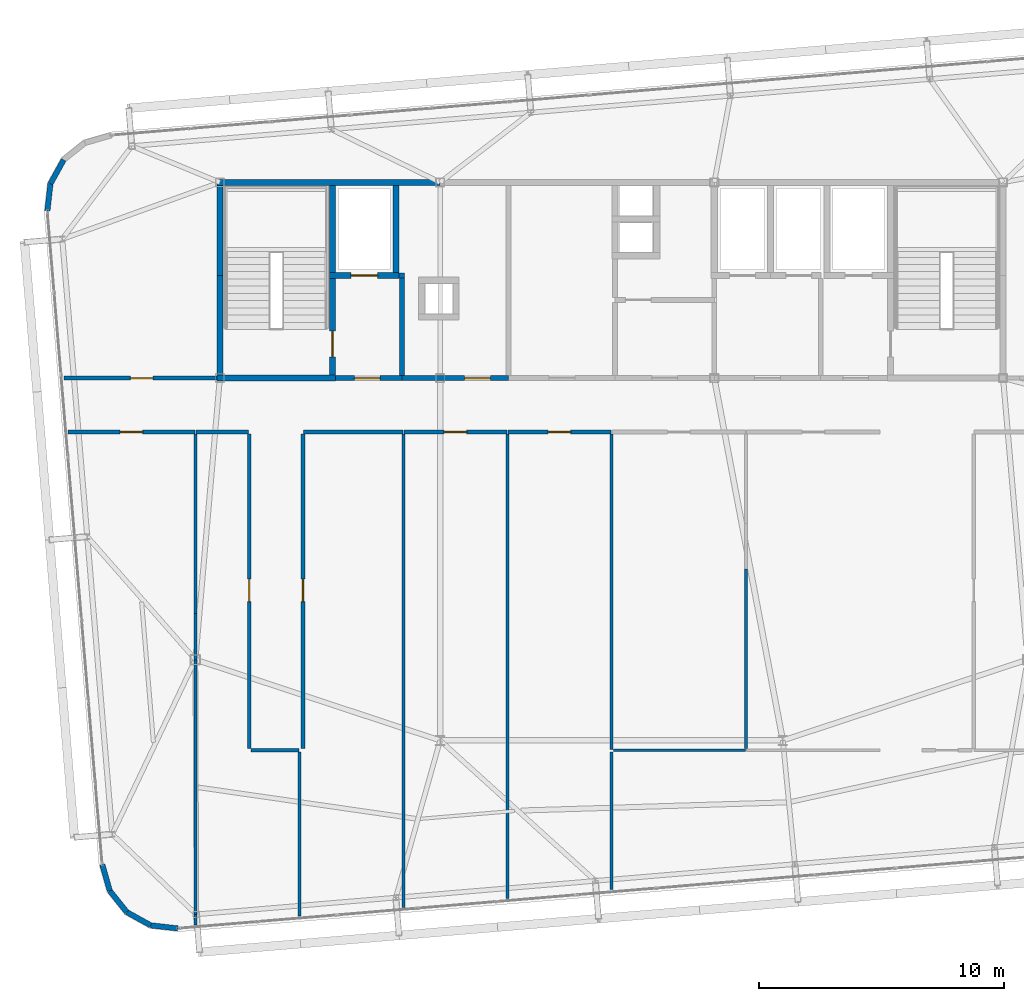
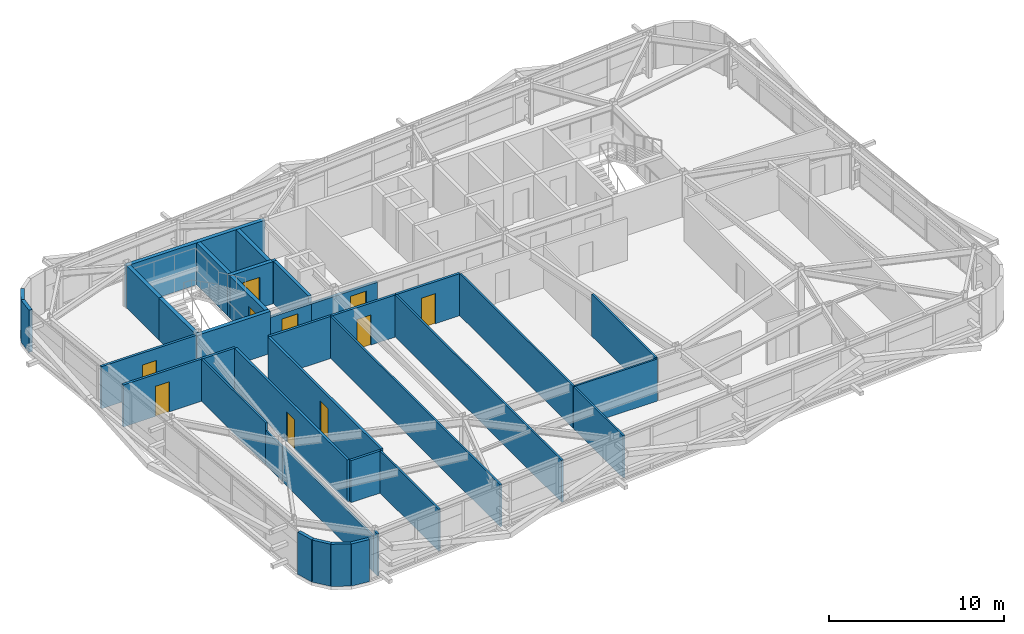
# One storey, part 42 of 46: 38 walls, 10 doors, 10 openings.
"""IFC4 building model written with IfcOpenShell, lengths in metres."""

from ifc_helpers import new_model, si_unit, direction, frame, frame_2d, origin, place, context, subcontext, project, spatial, rectangle, extrude, source, transform, mapped, material, layer, layer_set, type_object, element, fill, save


model = new_model("IFC4")

# Units and contexts
model_context = context("Model", 3, precision=1e-05, world=origin(), true_north=direction((0.0, 1.0)))
body_context = subcontext(model_context, "Body", "Model", "MODEL_VIEW")
ifc_project = project(units=[si_unit("LENGTHUNIT", "METRE"), si_unit("AREAUNIT", "SQUARE_METRE"), si_unit("VOLUMEUNIT", "CUBIC_METRE"), si_unit("PLANEANGLEUNIT", "RADIAN"), si_unit("MASSUNIT", "GRAM", prefix="KILO")], contexts=[model_context])

# Site, building, storey
site_placement = place(None, origin())
site = spatial("IfcSite", under=ifc_project, at=site_placement, CompositionType="ELEMENT")
building_placement = place(site_placement, origin())
building = spatial("IfcBuilding", under=site, at=building_placement, Name="Taldren Reach Tower", CompositionType="ELEMENT")
storey_placement = place(building_placement, frame((0.0, 0.0, 194.60009765625)))
storey = spatial("IfcBuildingStorey", under=building, at=storey_placement, Name="L59", CompositionType="ELEMENT", Elevation=194.60009765625)

# Walls
ifc_material_1 = material(Name="Pale Champagne Anodised Aluminium Cladding", Category="aluminium")
ifc_layer_1 = layer(ifc_material_1, 0.04, Name="Pale Champagne Anodised Aluminium Cladding", Category="aluminium")
ifc_material_2 = material(Name="Mineral Wool Acoustic Insulation", Category="insulation")
ifc_layer_2 = layer(ifc_material_2, 0.06, Name="Mineral Wool Acoustic Insulation", Category="insulation")
ifc_material_3 = material(Name="Steel Gr 350 (C350L0)", Category="steel")
ifc_layer_3 = layer(ifc_material_3, 0.12, Name="Steel Gr 350 (C350L0)", Category="steel")
ifc_layer_set_1 = layer_set([ifc_layer_1, ifc_layer_2, ifc_layer_3], Name="Pale Champagne Aluminium Cladding and Steel Gr 350 Stud Framing")
wall_type_1 = type_object("IfcWallType", Name="EW-CRN-220", PredefinedType="SOLIDWALL", material=ifc_layer_set_1)
shared_shape_1 = source(origin(), body_context, "Body", "SweptSolid", [
    extrude(rectangle(XDim=1.115966796875, YDim=0.219970703125, at=frame_2d((0.55810546875, 0.0))), origin(), (0.0, 0.0, 1.0), 2.929931640625),
])
for number, where, z_axis, x_axis, name in (
    (1, (12.618896484375, 32.9208984375, 0.0), (0.0, 0.0, 1.0), (-0.484100585842, -0.875012355791, 0.0), "Rounded-corner pale-metal facade wall L59-NW3"),
    (2, (12.07861328125, 31.9443359375, 0.0), (0.0, 0.0, 1.0), (-0.112232247342, -0.993682002784, 0.0), "Rounded-corner pale-metal facade wall L59-NW4"),
    (3, (14.19580078125, 4.129638671875, 0.0), (0.0, 0.0, 1.0), (0.276512002475, -0.961010464297, 0.0), "Rounded-corner pale-metal facade wall L59-SW1"),
    (4, (14.50439453125, 3.05712890625, 0.0), (0.0, 0.0, 1.0), (0.623092886403, -0.782147847222, 0.0), "Rounded-corner pale-metal facade wall L59-SW2"),
    (5, (15.19970703125, 2.184326171875, 0.0), (0.0, 0.0, 1.0), (0.875105012065, -0.483933071672, 0.0), "Rounded-corner pale-metal facade wall L59-SW3"),
    (6, (16.17626953125, 1.644287109375, 0.0), (0.0, 0.0, 1.0), (0.993657581277, -0.112448259968, 0.0), "Rounded-corner pale-metal facade wall L59-SW4"),
):
    element("IfcWall", number, at=place(storey_placement, frame(where, z_axis=z_axis, x_axis=x_axis)), inside=storey, type_object=wall_type_1, Name=name, PredefinedType="SOLIDWALL", context=body_context, shape_type="MappedRepresentation", body=[
        mapped(shared_shape_1, transform((0.0, 0.0, 0.0), scale=1.0)),
    ])

# Wall, opening, door
ifc_material_4 = material(Name="Concrete S50 (50 MPa)", Category="concrete")
ifc_layer_4 = layer(ifc_material_4, 0.199951171875)
ifc_layer_set_2 = layer_set([ifc_layer_4], Name="Concrete S50 (50 MPa)")
wall_type_2 = type_object("IfcWallType", Name="IW-CORE-200", PredefinedType="SOLIDWALL", material=ifc_layer_set_2)
shared_shape_2 = source(origin(), body_context, "Body", "SweptSolid", [
    extrude(rectangle(XDim=4.35009765625, YDim=0.199951171875, at=frame_2d((2.175048828125, 0.0))), origin(), (0.0, 0.0, 1.0), 2.469970703125),
])
wall_1_placement = place(storey_placement, frame((30.800048828125, 24.0, 0.0), z_axis=(0.0, 0.0, 1.0), x_axis=(-1.0, 0.0, 0.0)))
wall_1 = element("IfcWall", 7, at=wall_1_placement, inside=storey, type_object=wall_type_2, Name="Rear Core Shear Wall W-INT-L59-033", PredefinedType="SOLIDWALL", context=body_context, shape_type="MappedRepresentation", body=[
    mapped(shared_shape_2, transform((0.0, 0.0, 0.0), scale=1.0)),
])
shared_shape_3 = source(origin(), body_context, "Body", "SweptSolid", [
    extrude(rectangle(XDim=1.050048828125, YDim=2.10009765625, at=frame_2d((0.52490234375, 1.050048828125))), frame((0.0, 0.10986328125, 0.0), z_axis=(0.0, -1.0, 0.0), x_axis=(1.0, 0.0, 0.0)), (0.0, 0.0, 1.0), 0.219970703125),
])
opening_1_placement = place(wall_1_placement, frame((0.75, 0.0, 0.0)))
opening_1 = element("IfcOpeningElement", 8, at=opening_1_placement, cuts=wall_1, Name="Opening DF-105", PredefinedType="OPENING", context=body_context, shape_type="MappedRepresentation", body=[
    mapped(shared_shape_3, transform((0.0, 0.0, 0.0), scale=1.0)),
])
ifc_material_5 = material(Name="Fire-Rated Care and Stair Exit Door")
door_type_1 = type_object("IfcDoorType", Name="ID-FIRE-105", OperationType="NOTDEFINED", PredefinedType="DOOR", material=ifc_material_5)
shared_shape_4 = source(origin(), body_context, "Body", "SweptSolid", [
    extrude(rectangle(XDim=1.050048828125, YDim=2.10009765625, at=frame_2d((0.52490234375, 1.050048828125))), frame((0.0, 0.02490234375, 0.0), z_axis=(0.0, -1.0, 0.0), x_axis=(1.0, 0.0, 0.0)), (0.0, 0.0, 1.0), 0.050048828125),
])
door_1_placement = place(opening_1_placement, frame((1.050048828125, 0.0, 0.0), z_axis=(0.0, 0.0, 1.0), x_axis=(-1.0, 0.0, 0.0)))
door_1 = element("IfcDoor", 9, at=door_1_placement, inside=storey, type_object=door_type_1, Name="Interior Door DR-L59-006", OperationType="SINGLE_SWING_RIGHT", OverallHeight=2.10009765625, OverallWidth=1.050048828125, PredefinedType="DOOR", context=body_context, shape_type="MappedRepresentation", body=[
    mapped(shared_shape_4, transform((0.0, 0.0, 0.0), scale=1.0)),
])
fill(opening_1, door_1)

# Walls
ifc_material_6 = material(Name="Insulated Residential Stud Partition", Category="gypsum")
ifc_layer_5 = layer(ifc_material_6, 0.1201171875)
ifc_layer_set_3 = layer_set([ifc_layer_5], Name="Insulated Residential Stud Partition")
wall_type_3 = type_object("IfcWallType", Name="IW-PART-120", PredefinedType="PARTITIONING", material=ifc_layer_set_3)
shared_shape_5 = source(origin(), body_context, "Body", "SweptSolid", [
    extrude(rectangle(XDim=5.399658203125, YDim=0.1201171875, at=frame_2d((2.69970703125, 0.0))), origin(), (0.0, 0.0, 1.0), 2.929931640625),
])
wall_2_placement = place(storey_placement, frame((35.080078125, 8.800048828125, 0.0), z_axis=(0.0, 0.0, 1.0), x_axis=(1.0, 0.0, 0.0)))
element("IfcWall", 10, at=wall_2_placement, inside=storey, type_object=wall_type_3, Name="Interior Partition Wall W-INT-L59-056", PredefinedType="PARTITIONING", context=body_context, shape_type="MappedRepresentation", body=[
    mapped(shared_shape_5, transform((0.0, 0.0, 0.0), scale=1.0)),
])
ifc_material_7 = material(Name="Fire-Rated Acoustic Plasterboard Stud Wall", Category="gypsum")
ifc_layer_6 = layer(ifc_material_7, 0.159912109375)
ifc_layer_set_4 = layer_set([ifc_layer_6], Name="Fire-Rated Acoustic Plasterboard Stud Wall")
wall_type_4 = type_object("IfcWallType", Name="IW-FIRE-160", PredefinedType="PARTITIONING", material=ifc_layer_set_4)
shared_shape_6 = source(origin(), body_context, "Body", "SweptSolid", [
    extrude(rectangle(XDim=4.059326171875, YDim=0.159912109375, at=frame_2d((2.02978515625, 0.0))), origin(), (0.0, 0.0, 1.0), 2.929931640625),
])
wall_3_placement = place(storey_placement, frame((26.479736328125, 21.800048828125, 0.0), z_axis=(0.0, 0.0, 1.0), x_axis=(-1.0, 0.0, 0.0)))
element("IfcWall", 11, at=wall_3_placement, inside=storey, type_object=wall_type_4, Name="Interior Partition Wall W-INT-L59-046", PredefinedType="PARTITIONING", context=body_context, shape_type="MappedRepresentation", body=[
    mapped(shared_shape_6, transform((0.0, 0.0, 0.0), scale=1.0)),
])
shared_shape_7 = source(origin(), body_context, "Body", "SweptSolid", [
    extrude(rectangle(XDim=2.159423828125, YDim=0.159912109375, at=frame_2d((1.07958984375, 0.0))), origin(), (0.0, 0.0, 1.0), 2.929931640625),
])
wall_4_placement = place(storey_placement, frame((20.1796875, 21.800048828125, 0.0), z_axis=(0.0, 0.0, 1.0), x_axis=(-1.0, 0.0, 0.0)))
element("IfcWall", 12, at=wall_4_placement, inside=storey, type_object=wall_type_4, Name="Interior Partition Wall W-INT-L59-043", PredefinedType="PARTITIONING", context=body_context, shape_type="MappedRepresentation", body=[
    mapped(shared_shape_7, transform((0.0, 0.0, 0.0), scale=1.0)),
])
shared_shape_8 = source(origin(), body_context, "Body", "SweptSolid", [
    extrude(rectangle(XDim=4.0, YDim=0.199951171875, at=frame_2d((2.0, 0.0))), origin(), (0.0, 0.0, 1.0), 2.929931640625),
])
wall_5_placement = place(storey_placement, frame((26.449951171875, 24.10009765625, 0.0), z_axis=(0.0, 0.0, 1.0), x_axis=(0.0, 1.0, 0.0)))
element("IfcWall", 13, at=wall_5_placement, inside=storey, type_object=wall_type_2, Name="Rear Core Shear Wall W-INT-L59-006", PredefinedType="SOLIDWALL", context=body_context, shape_type="MappedRepresentation", body=[
    mapped(shared_shape_8, transform((0.0, 0.0, 0.0), scale=1.0)),
])
shared_shape_9 = source(origin(), body_context, "Body", "SweptSolid", [
    extrude(rectangle(XDim=7.32373046875, YDim=0.1201171875, at=frame_2d((3.661865234375, 0.0))), origin(), (0.0, 0.0, 1.0), 2.929931640625),
])
wall_6_placement = place(storey_placement, frame((18.0, 21.719970703125, 0.0), z_axis=(0.0, 0.0, 1.0), x_axis=(0.0, -1.0, 0.0)))
element("IfcWall", 14, at=wall_6_placement, inside=storey, type_object=wall_type_3, Name="Interior Partition Wall W-INT-L59-060", PredefinedType="PARTITIONING", context=body_context, shape_type="MappedRepresentation", body=[
    mapped(shared_shape_9, transform((0.0, 0.0, 0.0), scale=1.0)),
])
shared_shape_10 = source(origin(), body_context, "Body", "SweptSolid", [
    extrude(rectangle(XDim=1.9013671875, YDim=0.1201171875, at=frame_2d((0.95068359375, 0.0))), origin(), (0.0, 0.0, 1.0), 2.39697265625),
])
wall_7_placement = place(storey_placement, frame((18.0, 14.396240234375, 0.0), z_axis=(0.0, 0.0, 1.0), x_axis=(0.0, -1.0, 0.0)))
element("IfcWall", 15, at=wall_7_placement, inside=storey, type_object=wall_type_3, Name="Interior Partition Wall W-INT-L59-060 part 2", PredefinedType="PARTITIONING", context=body_context, shape_type="MappedRepresentation", body=[
    mapped(shared_shape_10, transform((0.0, 0.0, 0.0), scale=1.0)),
])
ifc_material_8 = material(Name="Concrete S65 (65 MPa)", Category="concrete")
ifc_layer_7 = layer(ifc_material_8, 0.25)
ifc_layer_set_5 = layer_set([ifc_layer_7], Name="Concrete S65 (65 MPa)")
wall_type_5 = type_object("IfcWallType", Name="IW-CORE-250", PredefinedType="SHEAR", material=ifc_layer_set_5)
shared_shape_11 = source(origin(), body_context, "Body", "SweptSolid", [
    extrude(rectangle(XDim=9.125, YDim=0.25, at=frame_2d((4.5625, 0.0))), origin(), (0.0, 0.0, 1.0), 2.929931640625),
])
wall_8_placement = place(storey_placement, frame((18.875, 32.0, 0.0), z_axis=(0.0, 0.0, 1.0), x_axis=(1.0, 0.0, 0.0)))
element("IfcWall", 16, at=wall_8_placement, inside=storey, type_object=wall_type_5, Name="Rear Core Shear Wall W-CORE-L59-NORTH1", PredefinedType="SHEAR", context=body_context, shape_type="MappedRepresentation", body=[
    mapped(shared_shape_11, transform((0.0, 0.0, 0.0), scale=1.0)),
])
shared_shape_12 = source(origin(), body_context, "Body", "SweptSolid", [
    extrude(rectangle(XDim=4.074951171875, YDim=0.25, at=frame_2d((2.03759765625, 0.0))), origin(), (0.0, 0.0, 1.0), 2.929931640625),
])
wall_9_placement = place(storey_placement, frame((19.0, 24.125, 0.0), z_axis=(0.0, 0.0, 1.0), x_axis=(0.0, 1.0, 0.0)))
element("IfcWall", 17, at=wall_9_placement, inside=storey, type_object=wall_type_5, Name="Rear Core Shear Wall W-CORE-L59-WEST1", PredefinedType="SHEAR", context=body_context, shape_type="MappedRepresentation", body=[
    mapped(shared_shape_12, transform((0.0, 0.0, 0.0), scale=1.0)),
])
shared_shape_13 = source(origin(), body_context, "Body", "SweptSolid", [
    extrude(rectangle(XDim=3.675048828125, YDim=0.25, at=frame_2d((1.83740234375, 0.0))), origin(), (0.0, 0.0, 1.0), 2.929931640625),
])
wall_10_placement = place(storey_placement, frame((19.0, 28.199951171875, 0.0), z_axis=(0.0, 0.0, 1.0), x_axis=(0.0, 1.0, 0.0)))
element("IfcWall", 18, at=wall_10_placement, inside=storey, type_object=wall_type_5, Name="Rear Core Shear Wall W-CORE-L59-WEST2", PredefinedType="SHEAR", context=body_context, shape_type="MappedRepresentation", body=[
    mapped(shared_shape_13, transform((0.0, 0.0, 0.0), scale=1.0)),
])
shared_shape_14 = source(origin(), body_context, "Body", "SweptSolid", [
    extrude(rectangle(XDim=3.550048828125, YDim=0.25, at=frame_2d((1.77490234375, 0.0))), origin(), (0.0, 0.0, 1.0), 2.929931640625),
])
for number, where, z_axis, x_axis, name in (
    (19, (23.60009765625, 28.324951171875, 0.0), (0.0, 0.0, 1.0), (0.0, 1.0, 0.0), "Rear Core Shear Wall W-INT-L59-001"),
    (20, (26.199951171875, 28.324951171875, 0.0), (0.0, 0.0, 1.0), (0.0, 1.0, 0.0), "Rear Core Shear Wall W-INT-L59-005"),
):
    element("IfcWall", number, at=place(storey_placement, frame(where, z_axis=z_axis, x_axis=x_axis)), inside=storey, type_object=wall_type_5, Name=name, PredefinedType="SHEAR", context=body_context, shape_type="MappedRepresentation", body=[
        mapped(shared_shape_14, transform((0.0, 0.0, 0.0), scale=1.0)),
    ])

# Wall, opening, door
shared_shape_15 = source(origin(), body_context, "Body", "SweptSolid", [
    extrude(rectangle(XDim=3.949951171875, YDim=0.25, at=frame_2d((1.97509765625, 0.0))), origin(), (0.0, 0.0, 1.0), 2.929931640625),
])
wall_11_placement = place(storey_placement, frame((23.60009765625, 24.125, 0.0), z_axis=(0.0, 0.0, 1.0), x_axis=(0.0, 1.0, 0.0)))
wall_11 = element("IfcWall", 21, at=wall_11_placement, inside=storey, type_object=wall_type_5, Name="Rear Core Shear Wall W-INT-L59-002", PredefinedType="SHEAR", context=body_context, shape_type="MappedRepresentation", body=[
    mapped(shared_shape_15, transform((0.0, 0.0, 0.0), scale=1.0)),
])
shared_shape_16 = source(origin(), body_context, "Body", "SweptSolid", [
    extrude(rectangle(XDim=1.050048828125, YDim=2.10009765625, at=frame_2d((0.52490234375, 1.050048828125))), frame((0.0, 0.135009765625, 0.0), z_axis=(0.0, -1.0, 0.0), x_axis=(1.0, 0.0, 0.0)), (0.0, 0.0, 1.0), 0.27001953125),
])
opening_2_placement = place(wall_11_placement, frame((0.75, 0.0, 0.0)))
opening_2 = element("IfcOpeningElement", 22, at=opening_2_placement, cuts=wall_11, Name="Opening DF-105", PredefinedType="OPENING", context=body_context, shape_type="MappedRepresentation", body=[
    mapped(shared_shape_16, transform((0.0, 0.0, 0.0), scale=1.0)),
])
door_2_placement = place(opening_2_placement, origin())
door_2 = element("IfcDoor", 23, at=door_2_placement, inside=storey, type_object=door_type_1, Name="Fire Exit Stair Door DR-L59-001", OperationType="SINGLE_SWING_LEFT", OverallHeight=2.10009765625, OverallWidth=1.050048828125, PredefinedType="DOOR", context=body_context, shape_type="MappedRepresentation", body=[
    mapped(shared_shape_4, transform((0.0, 0.0, 0.0), scale=1.0)),
])
fill(opening_2, door_2)

# Wall
shared_shape_17 = source(origin(), body_context, "Body", "SweptSolid", [
    extrude(rectangle(XDim=4.85009765625, YDim=0.25, at=frame_2d((2.425048828125, 0.0))), origin(), (0.0, 0.0, 1.0), 2.929931640625),
])
wall_12_placement = place(storey_placement, frame((18.875, 24.0, 0.0), z_axis=(0.0, 0.0, 1.0), x_axis=(1.0, 0.0, 0.0)))
element("IfcWall", 24, at=wall_12_placement, inside=storey, type_object=wall_type_5, Name="Rear Core Shear Wall W-INT-L59-003", PredefinedType="SHEAR", context=body_context, shape_type="MappedRepresentation", body=[
    mapped(shared_shape_17, transform((0.0, 0.0, 0.0), scale=1.0)),
])

# Wall, opening, door
shared_shape_18 = source(origin(), body_context, "Body", "SweptSolid", [
    extrude(rectangle(XDim=2.849853515625, YDim=0.25, at=frame_2d((1.4248046875, 0.0))), origin(), (0.0, 0.0, 1.0), 2.929931640625),
])
wall_13_placement = place(storey_placement, frame((23.47509765625, 28.199951171875, 0.0), z_axis=(0.0, 0.0, 1.0), x_axis=(1.0, 0.0, 0.0)))
wall_13 = element("IfcWall", 25, at=wall_13_placement, inside=storey, type_object=wall_type_5, Name="Rear Core Shear Wall W-INT-L59-004", PredefinedType="SHEAR", context=body_context, shape_type="MappedRepresentation", body=[
    mapped(shared_shape_18, transform((0.0, 0.0, 0.0), scale=1.0)),
])
shared_shape_19 = source(origin(), body_context, "Body", "SweptSolid", [
    extrude(rectangle(XDim=1.10009765625, YDim=2.14990234375, at=frame_2d((0.550048828125, 1.074951171875))), frame((0.0, 0.135009765625, 0.0), z_axis=(0.0, -1.0, 0.0), x_axis=(1.0, 0.0, 0.0)), (0.0, 0.0, 1.0), 0.27001953125),
])
opening_3_placement = place(wall_13_placement, frame((0.875, 0.0, 0.0)))
opening_3 = element("IfcOpeningElement", 26, at=opening_3_placement, cuts=wall_13, Name="Opening LD-FL1", PredefinedType="OPENING", context=body_context, shape_type="MappedRepresentation", body=[
    mapped(shared_shape_19, transform((0.0, 0.0, 0.0), scale=1.0)),
])
ifc_material_9 = material(Name="Stainless Steel Gr 316 Emergency Lift Landing Door", Category="steel")
door_type_2 = type_object("IfcDoorType", Name="LD-EMG-110", OperationType="SLIDING_TO_LEFT", PredefinedType="DOOR", material=ifc_material_9)
shared_shape_20 = source(origin(), body_context, "Body", "SweptSolid", [
    extrude(rectangle(XDim=1.10009765625, YDim=2.14990234375, at=frame_2d((0.550048828125, 1.074951171875))), frame((0.0, 0.02490234375, 0.0), z_axis=(0.0, -1.0, 0.0), x_axis=(1.0, 0.0, 0.0)), (0.0, 0.0, 1.0), 0.050048828125),
])
door_3_placement = place(opening_3_placement, origin())
door_3 = element("IfcDoor", 27, at=door_3_placement, inside=storey, type_object=door_type_2, Name="Lift Landing Door LD-FL1-L59", OperationType="SLIDING_TO_LEFT", OverallHeight=2.14990234375, OverallWidth=1.10009765625, PredefinedType="DOOR", context=body_context, shape_type="MappedRepresentation", body=[
    mapped(shared_shape_20, transform((0.0, 0.0, 0.0), scale=1.0)),
])
fill(opening_3, door_3)

shared_shape_21 = source(origin(), body_context, "Body", "SweptSolid", [
    extrude(rectangle(XDim=2.724853515625, YDim=0.199951171875, at=frame_2d((1.3623046875, 0.0))), origin(), (0.0, 0.0, 1.0), 2.469970703125),
])
wall_14_placement = place(storey_placement, frame((23.72509765625, 24.0, 0.0), z_axis=(0.0, 0.0, 1.0), x_axis=(1.0, 0.0, 0.0)))
wall_14 = element("IfcWall", 28, at=wall_14_placement, inside=storey, type_object=wall_type_2, Name="Rear Core Shear Wall W-INT-L59-007", PredefinedType="SOLIDWALL", context=body_context, shape_type="MappedRepresentation", body=[
    mapped(shared_shape_21, transform((0.0, 0.0, 0.0), scale=1.0)),
])
opening_4_placement = place(wall_14_placement, frame((0.77490234375, 0.0, 0.0)))
opening_4 = element("IfcOpeningElement", 29, at=opening_4_placement, cuts=wall_14, Name="Opening DF-105", PredefinedType="OPENING", context=body_context, shape_type="MappedRepresentation", body=[
    mapped(shared_shape_3, transform((0.0, 0.0, 0.0), scale=1.0)),
])
door_4_placement = place(opening_4_placement, origin())
door_4 = element("IfcDoor", 30, at=door_4_placement, inside=storey, type_object=door_type_1, Name="Interior Door DR-L59-002", OperationType="SINGLE_SWING_LEFT", OverallHeight=2.10009765625, OverallWidth=1.050048828125, PredefinedType="DOOR", context=body_context, shape_type="MappedRepresentation", body=[
    mapped(shared_shape_4, transform((0.0, 0.0, 0.0), scale=1.0)),
])
fill(opening_4, door_4)

shared_shape_22 = source(origin(), body_context, "Body", "SweptSolid", [
    extrude(rectangle(XDim=6.250732421875, YDim=0.159912109375, at=frame_2d((3.12548828125, 0.0))), origin(), (0.0, 0.0, 1.0), 2.929931640625),
])
wall_15_placement = place(storey_placement, frame((12.624267578125, 24.0, 0.0), z_axis=(0.0, 0.0, 1.0), x_axis=(1.0, 0.0, 0.0)))
wall_15 = element("IfcWall", 31, at=wall_15_placement, inside=storey, type_object=wall_type_4, Name="Interior Partition Wall W-INT-L59-040", PredefinedType="PARTITIONING", context=body_context, shape_type="MappedRepresentation", body=[
    mapped(shared_shape_22, transform((0.0, 0.0, 0.0), scale=1.0)),
])
shared_shape_23 = source(origin(), body_context, "Body", "SweptSolid", [
    extrude(rectangle(XDim=0.919921875, YDim=2.10009765625, at=frame_2d((0.4599609375, 1.050048828125))), frame((0.0, 0.08984375, 0.0), z_axis=(0.0, -1.0, 0.0), x_axis=(1.0, 0.0, 0.0)), (0.0, 0.0, 1.0), 0.179931640625),
])
opening_5_placement = place(wall_15_placement, frame((2.7177734375, 0.0, 0.0)))
opening_5 = element("IfcOpeningElement", 32, at=opening_5_placement, cuts=wall_15, Name="Opening DI-092", PredefinedType="OPENING", context=body_context, shape_type="MappedRepresentation", body=[
    mapped(shared_shape_23, transform((0.0, 0.0, 0.0), scale=1.0)),
])
ifc_material_10 = material(Name="Solid-Core Timber Suite Door", Category="wood")
door_type_3 = type_object("IfcDoorType", Name="ID-INT-092", OperationType="NOTDEFINED", PredefinedType="DOOR", material=ifc_material_10)
shared_shape_24 = source(origin(), body_context, "Body", "SweptSolid", [
    extrude(rectangle(XDim=0.919921875, YDim=2.10009765625, at=frame_2d((0.4599609375, 1.050048828125))), frame((0.0, 0.02490234375, 0.0), z_axis=(0.0, -1.0, 0.0), x_axis=(1.0, 0.0, 0.0)), (0.0, 0.0, 1.0), 0.050048828125),
])
door_5_placement = place(opening_5_placement, origin())
door_5 = element("IfcDoor", 33, at=door_5_placement, inside=storey, type_object=door_type_3, Name="Interior Door DR-L59-011", OperationType="SINGLE_SWING_RIGHT", OverallHeight=2.10009765625, OverallWidth=0.919921875, PredefinedType="DOOR", context=body_context, shape_type="MappedRepresentation", body=[
    mapped(shared_shape_24, transform((0.0, 0.0, 0.0), scale=1.0)),
])
fill(opening_5, door_5)

shared_shape_25 = source(origin(), body_context, "Body", "SweptSolid", [
    extrude(rectangle(XDim=12.840087890625, YDim=0.159912109375, at=frame_2d((6.419921875, 0.0))), origin(), (0.0, 0.0, 1.0), 2.929931640625),
])
wall_16_placement = place(storey_placement, frame((20.199951171875, 8.8798828125, 0.0), z_axis=(0.0, 0.0, 1.0), x_axis=(0.0, 1.0, 0.0)))
wall_16 = element("IfcWall", 34, at=wall_16_placement, inside=storey, type_object=wall_type_4, Name="Interior Partition Wall W-INT-L59-042", PredefinedType="PARTITIONING", context=body_context, shape_type="MappedRepresentation", body=[
    mapped(shared_shape_25, transform((0.0, 0.0, 0.0), scale=1.0)),
])
opening_6_placement = place(wall_16_placement, frame((5.98974609375, 0.0, 0.0)))
opening_6 = element("IfcOpeningElement", 35, at=opening_6_placement, cuts=wall_16, Name="Opening DI-092", PredefinedType="OPENING", context=body_context, shape_type="MappedRepresentation", body=[
    mapped(shared_shape_23, transform((0.0, 0.0, 0.0), scale=1.0)),
])
door_6_placement = place(opening_6_placement, origin())
door_6 = element("IfcDoor", 36, at=door_6_placement, inside=storey, type_object=door_type_3, Name="Interior Door DR-L59-013", OperationType="SINGLE_SWING_RIGHT", OverallHeight=2.10009765625, OverallWidth=0.919921875, PredefinedType="DOOR", context=body_context, shape_type="MappedRepresentation", body=[
    mapped(shared_shape_24, transform((0.0, 0.0, 0.0), scale=1.0)),
])
fill(opening_6, door_6)

wall_17_placement = place(storey_placement, frame((22.39990234375, 21.719970703125, 0.0), z_axis=(0.0, 0.0, 1.0), x_axis=(0.0, -1.0, 0.0)))
wall_17 = element("IfcWall", 37, at=wall_17_placement, inside=storey, type_object=wall_type_4, Name="Interior Partition Wall W-INT-L59-045", PredefinedType="PARTITIONING", context=body_context, shape_type="MappedRepresentation", body=[
    mapped(shared_shape_25, transform((0.0, 0.0, 0.0), scale=1.0)),
])
opening_7_placement = place(wall_17_placement, frame((5.93017578125, 0.0, 0.0)))
opening_7 = element("IfcOpeningElement", 38, at=opening_7_placement, cuts=wall_17, Name="Opening DI-092", PredefinedType="OPENING", context=body_context, shape_type="MappedRepresentation", body=[
    mapped(shared_shape_23, transform((0.0, 0.0, 0.0), scale=1.0)),
])
door_7_placement = place(opening_7_placement, origin())
door_7 = element("IfcDoor", 39, at=door_7_placement, inside=storey, type_object=door_type_3, Name="Interior Door DR-L59-014", OperationType="SINGLE_SWING_LEFT", OverallHeight=2.10009765625, OverallWidth=0.919921875, PredefinedType="DOOR", context=body_context, shape_type="MappedRepresentation", body=[
    mapped(shared_shape_24, transform((0.0, 0.0, 0.0), scale=1.0)),
])
fill(opening_7, door_7)

# Wall
shared_shape_26 = source(origin(), body_context, "Body", "SweptSolid", [
    extrude(rectangle(XDim=0.22509765625, YDim=0.199951171875, at=frame_2d((0.112548828125, 0.0))), origin(), (0.0, 0.0, 1.0), 2.929931640625),
])
wall_18_placement = place(storey_placement, frame((26.324951171875, 28.199951171875, 0.0), z_axis=(0.0, 0.0, 1.0), x_axis=(1.0, 0.0, 0.0)))
element("IfcWall", 40, at=wall_18_placement, inside=storey, type_object=wall_type_2, Name="Rear Core Partition Wall W-INT-L59-067", PredefinedType="SOLIDWALL", context=body_context, shape_type="MappedRepresentation", body=[
    mapped(shared_shape_26, transform((0.0, 0.0, 0.0), scale=1.0)),
])

# Wall, opening, door
shared_shape_27 = source(origin(), body_context, "Body", "SweptSolid", [
    extrude(rectangle(XDim=5.18408203125, YDim=0.159912109375, at=frame_2d((2.592041015625, 0.0))), origin(), (0.0, 0.0, 1.0), 2.929931640625),
])
wall_19_placement = place(storey_placement, frame((17.979736328125, 21.800048828125, 0.0), z_axis=(0.0, 0.0, 1.0), x_axis=(-1.0, 0.0, 0.0)))
wall_19 = element("IfcWall", 41, at=wall_19_placement, inside=storey, type_object=wall_type_4, Name="Interior Partition Wall W-INT-L59-041", PredefinedType="PARTITIONING", context=body_context, shape_type="MappedRepresentation", body=[
    mapped(shared_shape_27, transform((0.0, 0.0, 0.0), scale=1.0)),
])
opening_8_placement = place(wall_19_placement, frame((2.132080078125, 0.0, 0.0)))
opening_8 = element("IfcOpeningElement", 42, at=opening_8_placement, cuts=wall_19, Name="Opening DI-092", PredefinedType="OPENING", context=body_context, shape_type="MappedRepresentation", body=[
    mapped(shared_shape_23, transform((0.0, 0.0, 0.0), scale=1.0)),
])
door_8_placement = place(opening_8_placement, origin())
door_8 = element("IfcDoor", 43, at=door_8_placement, inside=storey, type_object=door_type_3, Name="Interior Door DR-L59-012", OperationType="SINGLE_SWING_LEFT", OverallHeight=2.10009765625, OverallWidth=0.919921875, PredefinedType="DOOR", context=body_context, shape_type="MappedRepresentation", body=[
    mapped(shared_shape_24, transform((0.0, 0.0, 0.0), scale=1.0)),
])
fill(opening_8, door_8)

# Wall
shared_shape_28 = source(origin(), body_context, "Body", "SweptSolid", [
    extrude(rectangle(XDim=1.94970703125, YDim=0.159912109375, at=frame_2d((0.974853515625, 0.0))), origin(), (0.0, 0.0, 1.0), 2.929931640625),
])
wall_20_placement = place(storey_placement, frame((22.229736328125, 8.800048828125, 0.0), z_axis=(0.0, 0.0, 1.0), x_axis=(-1.0, 0.0, 0.0)))
element("IfcWall", 44, at=wall_20_placement, inside=storey, type_object=wall_type_4, Name="Interior Partition Wall W-INT-L59-044", PredefinedType="PARTITIONING", context=body_context, shape_type="MappedRepresentation", body=[
    mapped(shared_shape_28, transform((0.0, 0.0, 0.0), scale=1.0)),
])

# Wall, opening, door
shared_shape_29 = source(origin(), body_context, "Body", "SweptSolid", [
    extrude(rectangle(XDim=4.20947265625, YDim=0.159912109375, at=frame_2d((2.104736328125, 0.0))), origin(), (0.0, 0.0, 1.0), 2.929931640625),
])
wall_21_placement = place(storey_placement, frame((30.729736328125, 21.800048828125, 0.0), z_axis=(0.0, 0.0, 1.0), x_axis=(-1.0, 0.0, 0.0)))
wall_21 = element("IfcWall", 45, at=wall_21_placement, inside=storey, type_object=wall_type_4, Name="Interior Partition Wall W-INT-L59-047", PredefinedType="PARTITIONING", context=body_context, shape_type="MappedRepresentation", body=[
    mapped(shared_shape_29, transform((0.0, 0.0, 0.0), scale=1.0)),
])
opening_9_placement = place(wall_21_placement, frame((1.644775390625, 0.0, 0.0)))
opening_9 = element("IfcOpeningElement", 46, at=opening_9_placement, cuts=wall_21, Name="Opening DI-092", PredefinedType="OPENING", context=body_context, shape_type="MappedRepresentation", body=[
    mapped(shared_shape_23, transform((0.0, 0.0, 0.0), scale=1.0)),
])
door_9_placement = place(opening_9_placement, origin())
door_9 = element("IfcDoor", 47, at=door_9_placement, inside=storey, type_object=door_type_3, Name="Interior Door DR-L59-015", OperationType="SINGLE_SWING_RIGHT", OverallHeight=2.10009765625, OverallWidth=0.919921875, PredefinedType="DOOR", context=body_context, shape_type="MappedRepresentation", body=[
    mapped(shared_shape_24, transform((0.0, 0.0, 0.0), scale=1.0)),
])
fill(opening_9, door_9)

wall_22_placement = place(storey_placement, frame((34.979736328125, 21.800048828125, 0.0), z_axis=(0.0, 0.0, 1.0), x_axis=(-1.0, 0.0, 0.0)))
wall_22 = element("IfcWall", 48, at=wall_22_placement, inside=storey, type_object=wall_type_4, Name="Interior Partition Wall W-INT-L59-048", PredefinedType="PARTITIONING", context=body_context, shape_type="MappedRepresentation", body=[
    mapped(shared_shape_29, transform((0.0, 0.0, 0.0), scale=1.0)),
])
opening_10_placement = place(wall_22_placement, frame((1.644775390625, 0.0, 0.0)))
opening_10 = element("IfcOpeningElement", 49, at=opening_10_placement, cuts=wall_22, Name="Opening DI-092", PredefinedType="OPENING", context=body_context, shape_type="MappedRepresentation", body=[
    mapped(shared_shape_23, transform((0.0, 0.0, 0.0), scale=1.0)),
])
door_10_placement = place(opening_10_placement, origin())
door_10 = element("IfcDoor", 50, at=door_10_placement, inside=storey, type_object=door_type_3, Name="Interior Door DR-L59-016", OperationType="SINGLE_SWING_LEFT", OverallHeight=2.10009765625, OverallWidth=0.919921875, PredefinedType="DOOR", context=body_context, shape_type="MappedRepresentation", body=[
    mapped(shared_shape_24, transform((0.0, 0.0, 0.0), scale=1.0)),
])
fill(opening_10, door_10)

# Walls
shared_shape_30 = source(origin(), body_context, "Body", "SweptSolid", [
    extrude(rectangle(XDim=5.616455078125, YDim=0.1201171875, at=frame_2d((2.80810546875, 0.0))), origin(), (0.0, 0.0, 1.0), 2.929931640625),
])
wall_23_placement = place(storey_placement, frame((35.0, 3.103515625, 0.0), z_axis=(0.0, 0.0, 1.0), x_axis=(0.0, 1.0, 0.0)))
element("IfcWall", 51, at=wall_23_placement, inside=storey, type_object=wall_type_3, Name="Interior Partition Wall W-INT-L59-055", PredefinedType="PARTITIONING", context=body_context, shape_type="MappedRepresentation", body=[
    mapped(shared_shape_30, transform((0.0, 0.0, 0.0), scale=1.0)),
])
shared_shape_31 = source(origin(), body_context, "Body", "SweptSolid", [
    extrude(rectangle(XDim=10.401123046875, YDim=0.1201171875, at=frame_2d((5.20068359375, 0.0))), origin(), (0.0, 0.0, 1.0), 2.469970703125),
])
wall_24_placement = place(storey_placement, frame((18.0, 12.494873046875, 0.0), z_axis=(0.0, 0.0, 1.0), x_axis=(0.0, -1.0, 0.0)))
element("IfcWall", 52, at=wall_24_placement, inside=storey, type_object=wall_type_3, Name="Interior Partition Wall W-INT-L59-060 part 3", PredefinedType="PARTITIONING", context=body_context, shape_type="MappedRepresentation", body=[
    mapped(shared_shape_31, transform((0.0, 0.0, 0.0), scale=1.0)),
])
shared_shape_32 = source(origin(), body_context, "Body", "SweptSolid", [
    extrude(rectangle(XDim=0.43115234375, YDim=0.1201171875, at=frame_2d((0.215576171875, 0.0))), origin(), (0.0, 0.0, 1.0), 2.929931640625),
])
wall_25_placement = place(storey_placement, frame((18.0, 2.09375, 0.0), z_axis=(0.0, 0.0, 1.0), x_axis=(0.0, -1.0, 0.0)))
element("IfcWall", 53, at=wall_25_placement, inside=storey, type_object=wall_type_3, Name="Interior Partition Wall W-INT-L59-060 part 4", PredefinedType="PARTITIONING", context=body_context, shape_type="MappedRepresentation", body=[
    mapped(shared_shape_32, transform((0.0, 0.0, 0.0), scale=1.0)),
])
shared_shape_33 = source(origin(), body_context, "Body", "SweptSolid", [
    extrude(rectangle(XDim=6.70068359375, YDim=0.1201171875, at=frame_2d((3.350341796875, 0.0))), origin(), (0.0, 0.0, 1.0), 2.929931640625),
])
wall_26_placement = place(storey_placement, frame((22.25, 8.719970703125, 0.0), z_axis=(0.0, 0.0, 1.0), x_axis=(0.0, -1.0, 0.0)))
element("IfcWall", 54, at=wall_26_placement, inside=storey, type_object=wall_type_3, Name="Interior Partition Wall W-INT-L59-061", PredefinedType="PARTITIONING", context=body_context, shape_type="MappedRepresentation", body=[
    mapped(shared_shape_33, transform((0.0, 0.0, 0.0), scale=1.0)),
])
shared_shape_34 = source(origin(), body_context, "Body", "SweptSolid", [
    extrude(rectangle(XDim=19.33984375, YDim=0.1201171875, at=frame_2d((9.669921875, 0.0))), origin(), (0.0, 0.0, 1.0), 2.929931640625),
])
wall_27_placement = place(storey_placement, frame((26.5, 21.718017578125, 0.0), z_axis=(0.0, 0.0, 1.0), x_axis=(0.0, -1.0, 0.0)))
element("IfcWall", 55, at=wall_27_placement, inside=storey, type_object=wall_type_3, Name="Interior Partition Wall W-INT-L59-062", PredefinedType="PARTITIONING", context=body_context, shape_type="MappedRepresentation", body=[
    mapped(shared_shape_34, transform((0.0, 0.0, 0.0), scale=1.0)),
])
shared_shape_35 = source(origin(), body_context, "Body", "SweptSolid", [
    extrude(rectangle(XDim=18.98681640625, YDim=0.1201171875, at=frame_2d((9.493408203125, 0.0))), origin(), (0.0, 0.0, 1.0), 2.929931640625),
])
wall_28_placement = place(storey_placement, frame((30.75, 21.719970703125, 0.0), z_axis=(0.0, 0.0, 1.0), x_axis=(0.0, -1.0, 0.0)))
element("IfcWall", 56, at=wall_28_placement, inside=storey, type_object=wall_type_3, Name="Interior Partition Wall W-INT-L59-063", PredefinedType="PARTITIONING", context=body_context, shape_type="MappedRepresentation", body=[
    mapped(shared_shape_35, transform((0.0, 0.0, 0.0), scale=1.0)),
])
shared_shape_36 = source(origin(), body_context, "Body", "SweptSolid", [
    extrude(rectangle(XDim=12.897705078125, YDim=0.1201171875, at=frame_2d((6.44873046875, 0.0))), origin(), (0.0, 0.0, 1.0), 2.929931640625),
])
wall_29_placement = place(storey_placement, frame((35.0, 21.718017578125, 0.0), z_axis=(0.0, 0.0, 1.0), x_axis=(0.0, -1.0, 0.0)))
element("IfcWall", 57, at=wall_29_placement, inside=storey, type_object=wall_type_3, Name="Interior Partition Wall W-INT-L59-064", PredefinedType="PARTITIONING", context=body_context, shape_type="MappedRepresentation", body=[
    mapped(shared_shape_36, transform((0.0, 0.0, 0.0), scale=1.0)),
])
shared_shape_37 = source(origin(), body_context, "Body", "SweptSolid", [
    extrude(rectangle(XDim=7.318359375, YDim=0.1201171875, at=frame_2d((3.6591796875, 0.0))), origin(), (0.0, 0.0, 1.0), 2.929931640625),
])
wall_30_placement = place(storey_placement, frame((40.5, 16.1982421875, 0.0), z_axis=(0.0, 0.0, 1.0), x_axis=(0.0, -1.0, 0.0)))
element("IfcWall", 58, at=wall_30_placement, inside=storey, type_object=wall_type_3, Name="Interior Partition Wall W-INT-L59-065 part 3", PredefinedType="PARTITIONING", context=body_context, shape_type="MappedRepresentation", body=[
    mapped(shared_shape_37, transform((0.0, 0.0, 0.0), scale=1.0)),
])

save(model, "model.ifc")
